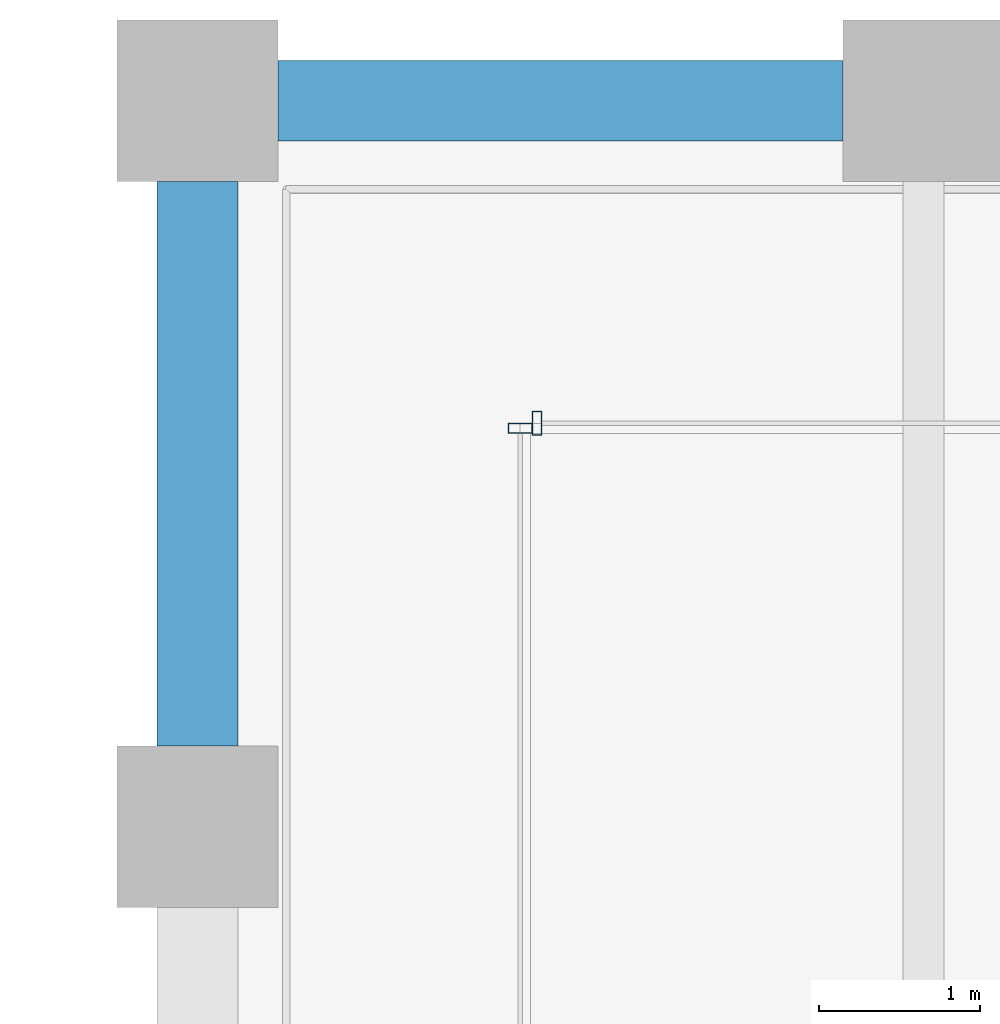
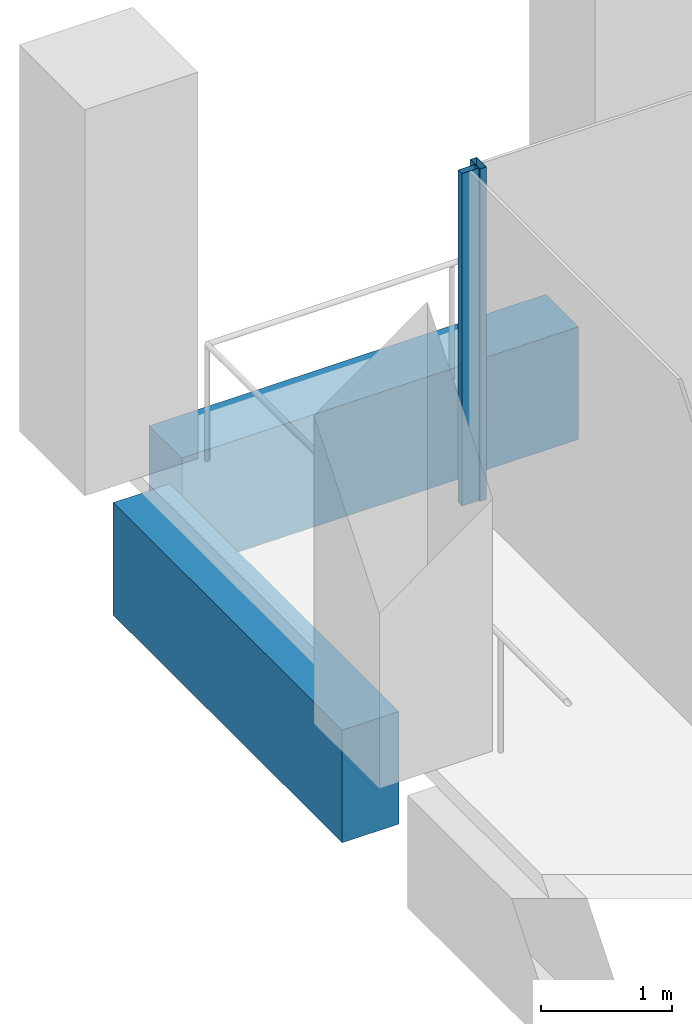
# One storey, part 21 of 46: 2 beams, 2 members, 2 elements without a shape of their own.
"""IFC4 building model written with IfcOpenShell, lengths in metres."""

from ifc_helpers import new_model, si_unit, direction, frame, origin, origin_2d, place, context, subcontext, project, spatial, rectangle, hollow_rectangle, extrude, material, material_profile, profile_set, type_object, element, aggregate, save


model = new_model("IFC4")

# Units and contexts
model_context = context("Model", 3, precision=1e-05, world=origin(), true_north=direction((0.0, 1.0)))
body_context = subcontext(model_context, "Body", "Model", "MODEL_VIEW")
ifc_project = project(units=[si_unit("LENGTHUNIT", "METRE"), si_unit("AREAUNIT", "SQUARE_METRE"), si_unit("VOLUMEUNIT", "CUBIC_METRE"), si_unit("PLANEANGLEUNIT", "RADIAN"), si_unit("MASSUNIT", "GRAM", prefix="KILO")], contexts=[model_context])

# Site, building, storey
site_placement = place(None, origin())
site = spatial("IfcSite", under=ifc_project, at=site_placement, CompositionType="ELEMENT")
building_placement = place(site_placement, origin())
building = spatial("IfcBuilding", under=site, at=building_placement, Name="Altepetl Exchange Towers", CompositionType="ELEMENT")
storey_placement = place(building_placement, frame((0.0, 0.0, 135.199951171875)))
storey = spatial("IfcBuildingStorey", under=building, at=storey_placement, Name="L33", CompositionType="ELEMENT", Elevation=135.199951171875)

# Curtain wall, member
ifc_material_1 = material(Name="Aluminium 6063-T6 glazing", Category="aluminium")
curtain_wall_type = type_object("IfcCurtainWallType", Name="Loggia glazing system", PredefinedType="NOTDEFINED", material=ifc_material_1)
curtain_wall_1_placement = place(storey_placement, origin())
curtain_wall_1 = element("IfcCurtainWall", 1, at=curtain_wall_1_placement, inside=storey, type_object=curtain_wall_type, Name="CW1 run", PredefinedType="NOTDEFINED")
ifc_material_2 = material(Name="Aluminium 6063-T6", Category="aluminium")
ifc_material_profile_1 = material_profile(ifc_material_2, hollow_rectangle(XDim=0.06005859375, YDim=0.14990234375, WallThickness=0.0029296875, at=origin_2d()), Name="Mullion 60x150 aluminium")
ifc_profile_set_1 = profile_set([ifc_material_profile_1], Name="Aluminium 6063-T6")
member_type = type_object("IfcMemberType", Name="Mullion 60x150 aluminium", PredefinedType="MULLION", material=ifc_profile_set_1)
member_1_placement = place(storey_placement, frame((42.60498046875, 70.0, 0.0), z_axis=(0.0, 0.0, 1.0), x_axis=(-1.0, 0.0, 0.0)))
member_1 = element("IfcMember", 2, at=member_1_placement, type_object=member_type, Name="MU1 mullion", PredefinedType="MULLION", context=body_context, shape_type="SweptSolid", body=[
    extrude(hollow_rectangle(XDim=0.06005859375, YDim=0.14990234375, WallThickness=0.0029296875, at=origin_2d()), origin(), (0.0, 0.0, 1.0), 3.10009765625),
])
aggregate(curtain_wall_1, [member_1])

curtain_wall_2_placement = place(storey_placement, origin())
curtain_wall_2 = element("IfcCurtainWall", 3, at=curtain_wall_2_placement, inside=storey, type_object=curtain_wall_type, Name="CW1 run", PredefinedType="NOTDEFINED")
member_2_placement = place(storey_placement, frame((42.5, 69.969970703125, 0.0), z_axis=(0.0, 0.0, 1.0), x_axis=(0.0, -1.0, 0.0)))
member_2 = element("IfcMember", 4, at=member_2_placement, type_object=member_type, Name="MU1 mullion", PredefinedType="MULLION", context=body_context, shape_type="SweptSolid", body=[
    extrude(hollow_rectangle(XDim=0.06005859375, YDim=0.14990234375, WallThickness=0.0029296875, at=origin_2d()), origin(), (0.0, 0.0, 1.0), 3.10009765625),
])
aggregate(curtain_wall_2, [member_2])

# Beams
ifc_material_3 = material(Name="Concrete C50/60 precast with cantera rosa facing", Category="concrete")
ifc_material_profile_2 = material_profile(ifc_material_3, rectangle(XDim=0.5, YDim=1.050048828125, at=origin_2d()), Name="500 x 1050")
ifc_profile_set_2 = profile_set([ifc_material_profile_2], Name="Concrete C50/60 precast with cantera rosa facing")
beam_type_1 = type_object("IfcBeamType", Name="Spandrel beam 500x1050 cantera rosa", PredefinedType="SPANDREL", material=ifc_profile_set_2)
beam_1_placement = place(storey_placement, frame((44.5, 72.0, -0.675048828125), z_axis=(-1.0, 0.0, 0.0), x_axis=(0.0, -1.0, 0.0)))
element("IfcBeam", 5, at=beam_1_placement, inside=storey, type_object=beam_type_1, Name="sp:A:L33:029", PredefinedType="SPANDREL", context=body_context, shape_type="SweptSolid", body=[
    extrude(rectangle(XDim=0.5, YDim=1.050048828125, at=origin_2d()), origin(), (0.0, 0.0, 1.0), 3.5),
])
ifc_material_4 = material(Name="Concrete C50/60 precast with tezontle facing", Category="concrete")
ifc_material_profile_3 = material_profile(ifc_material_4, rectangle(XDim=0.5, YDim=1.050048828125, at=origin_2d()), Name="500 x 1050")
ifc_profile_set_3 = profile_set([ifc_material_profile_3], Name="Concrete C50/60 precast with tezontle facing")
beam_type_2 = type_object("IfcBeamType", Name="Spandrel beam 500x1050 tezontle", PredefinedType="SPANDREL", material=ifc_profile_set_3)
beam_2_placement = place(storey_placement, frame((40.5, 71.5, -0.675048828125), z_axis=(0.0, -1.0, 0.0), x_axis=(1.0, 0.0, 0.0)))
element("IfcBeam", 6, at=beam_2_placement, inside=storey, type_object=beam_type_2, Name="sp:A:L33:030", PredefinedType="SPANDREL", context=body_context, shape_type="SweptSolid", body=[
    extrude(rectangle(XDim=0.5, YDim=1.050048828125, at=origin_2d()), origin(), (0.0, 0.0, 1.0), 3.5),
])

save(model, "model.ifc")
